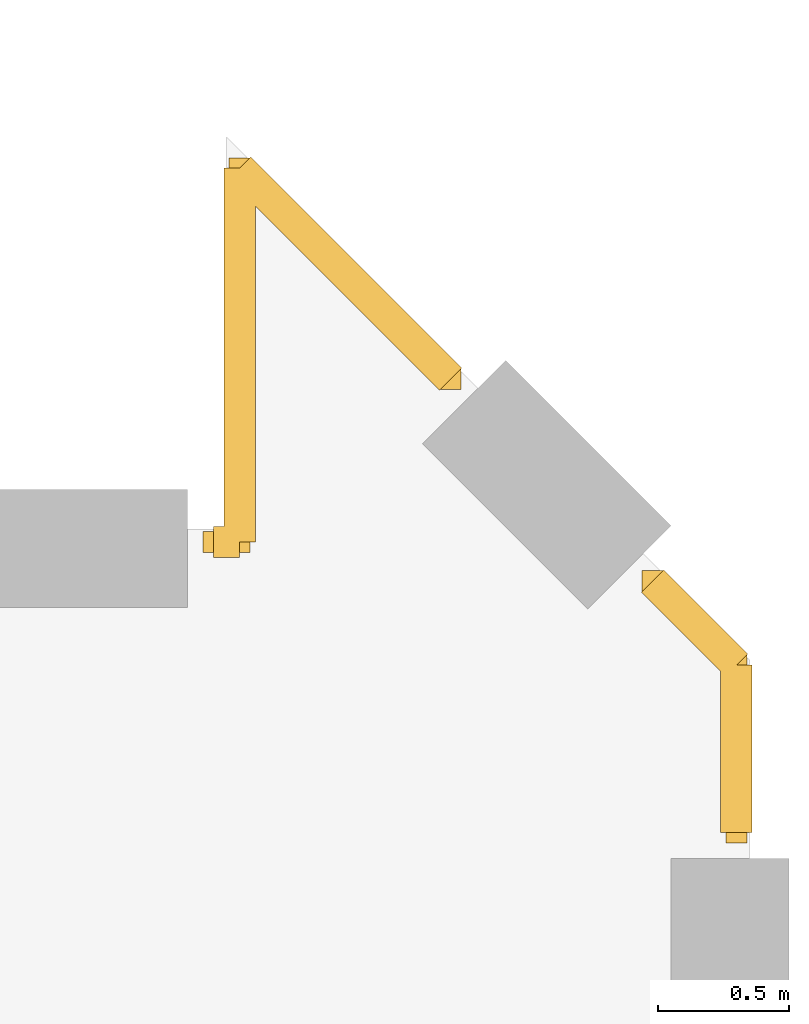
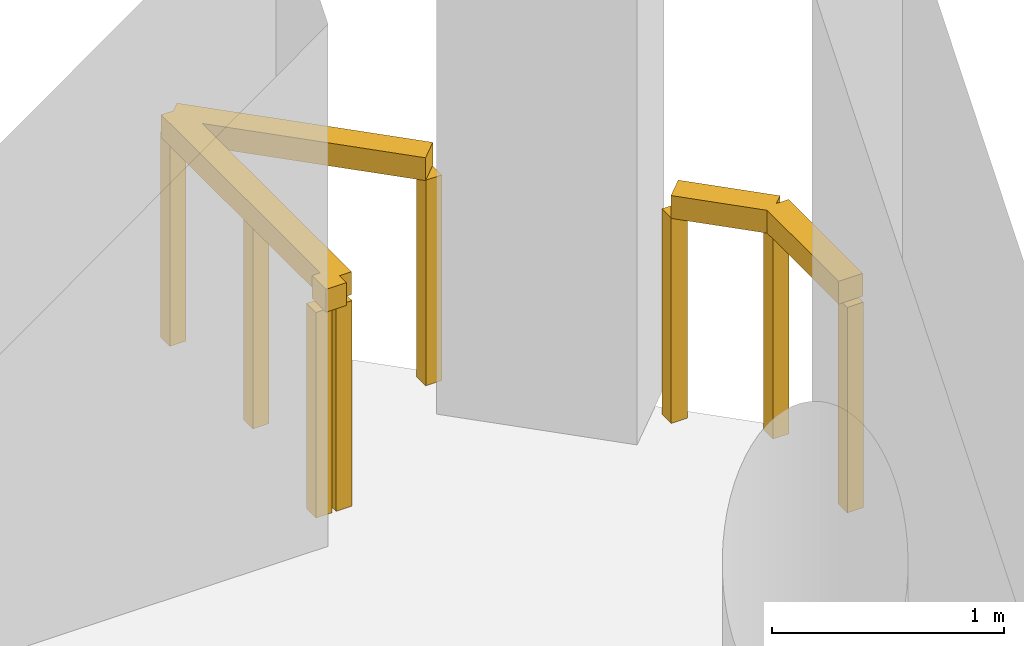
# One storey, part 8 of 8: 2 railings.
"""IFC4 building model written with IfcOpenShell, lengths in metres."""

from ifc_helpers import new_model, si_unit, direction, frame, origin, origin_2d, place, context, subcontext, project, spatial, rectangle, extrude, material, type_object, element, save


model = new_model("IFC4")

# Units and contexts
model_context = context("Model", 3, precision=1e-05, world=origin(), true_north=direction((0.0, 1.0)))
body_context = subcontext(model_context, "Body", "Model", "MODEL_VIEW")
ifc_project = project(units=[si_unit("LENGTHUNIT", "METRE"), si_unit("AREAUNIT", "SQUARE_METRE"), si_unit("VOLUMEUNIT", "CUBIC_METRE"), si_unit("PLANEANGLEUNIT", "RADIAN"), si_unit("MASSUNIT", "GRAM", prefix="KILO")], contexts=[model_context])

# Site, building, storey
site_placement = place(None, origin())
site = spatial("IfcSite", under=ifc_project, at=site_placement, CompositionType="ELEMENT")
building_placement = place(site_placement, origin())
building = spatial("IfcBuilding", under=site, at=building_placement, Name="Cypress Arch Tower", CompositionType="ELEMENT")
storey_placement = place(building_placement, frame((0.0, 0.0, 351.0)))
storey = spatial("IfcBuildingStorey", under=building, at=storey_placement, Name="L80", CompositionType="ELEMENT", Elevation=351.0)

# Railings
ifc_material = material(Name="Stainless steel posts and handrail, laminated glass infill", Category="steel")
railing_type = type_object("IfcRailingType", Name="Deck guard GR1200D", PredefinedType="GUARDRAIL", material=ifc_material)
railing_1_placement = place(storey_placement, frame((7.949951171875, 12.449951171875, 0.0)))
element("IfcRailing", 1, at=railing_1_placement, inside=storey, type_object=railing_type, Name="Crown edge guard L80 15", PredefinedType="GUARDRAIL", context=body_context, shape_type="SweptSolid", body=[
    extrude(rectangle(XDim=0.1201171875, YDim=0.1201171875, at=origin_2d()), frame((0.0, 0.0, 1.139892578125), z_axis=(1.0, 0.0, 0.0), x_axis=(0.0, 1.0, 0.0)), (0.0, 0.0, 1.0), 0.10009765625),
    extrude(rectangle(XDim=0.1201171875, YDim=0.1201171875, at=origin_2d()), frame((0.10009765625, 0.0, 1.139892578125), z_axis=(0.0, 1.0, 0.0), x_axis=(-1.0, 0.0, 0.0)), (0.0, 0.0, 1.0), 1.429443359375),
    extrude(rectangle(XDim=0.1201171875, YDim=0.1201171875, at=origin_2d()), frame((0.10009765625, 1.429443359375, 1.139892578125), z_axis=(0.707106781187, -0.707106781187, 0.0), x_axis=(0.707106781187, 0.707106781187, 0.0)), (0.0, 0.0, 1.0), 1.14013671875),
    extrude(rectangle(XDim=0.080078125, YDim=0.080078125, at=origin_2d()), origin(), (0.0, 0.0, 1.0), 1.079833984375),
    extrude(rectangle(XDim=0.080078125, YDim=0.080078125, at=origin_2d()), frame((0.10009765625, 0.0, 0.0)), (0.0, 0.0, 1.0), 1.079833984375),
    extrude(rectangle(XDim=0.080078125, YDim=0.080078125, at=origin_2d()), frame((0.10009765625, 0.71484375, 0.0)), (0.0, 0.0, 1.0), 1.079833984375),
    extrude(rectangle(XDim=0.080078125, YDim=0.080078125, at=origin_2d()), frame((0.10009765625, 1.429443359375, 0.0)), (0.0, 0.0, 1.0), 1.079833984375),
    extrude(rectangle(XDim=0.080078125, YDim=0.080078125, at=origin_2d()), frame((0.90625, 0.623291015625, 0.0)), (0.0, 0.0, 1.0), 1.079833984375),
])
railing_2_placement = place(storey_placement, frame((9.62939453125, 12.300048828125, 0.0)))
element("IfcRailing", 2, at=railing_2_placement, inside=storey, type_object=railing_type, Name="Crown edge guard L80 17", PredefinedType="GUARDRAIL", context=body_context, shape_type="SweptSolid", body=[
    extrude(rectangle(XDim=0.1201171875, YDim=0.1201171875, at=origin_2d()), frame((0.0, 0.0, 1.139892578125), z_axis=(0.706837561044, -0.707375898867, 0.0), x_axis=(0.707375898867, 0.706837561044, 0.0)), (0.0, 0.0, 1.0), 0.45361328125),
    extrude(rectangle(XDim=0.1201171875, YDim=0.1201171875, at=origin_2d()), frame((0.320556640625, -0.32080078125, 1.139892578125), z_axis=(0.0, -1.0, 0.0), x_axis=(1.0, 0.0, 0.0)), (0.0, 0.0, 1.0), 0.639892578125),
    extrude(rectangle(XDim=0.080078125, YDim=0.080078125, at=origin_2d()), origin(), (0.0, 0.0, 1.0), 1.079833984375),
    extrude(rectangle(XDim=0.080078125, YDim=0.080078125, at=origin_2d()), frame((0.320556640625, -0.32080078125, 0.0)), (0.0, 0.0, 1.0), 1.079833984375),
    extrude(rectangle(XDim=0.080078125, YDim=0.080078125, at=origin_2d()), frame((0.320556640625, -0.960693359375, 0.0)), (0.0, 0.0, 1.0), 1.079833984375),
])

save(model, "model.ifc")
